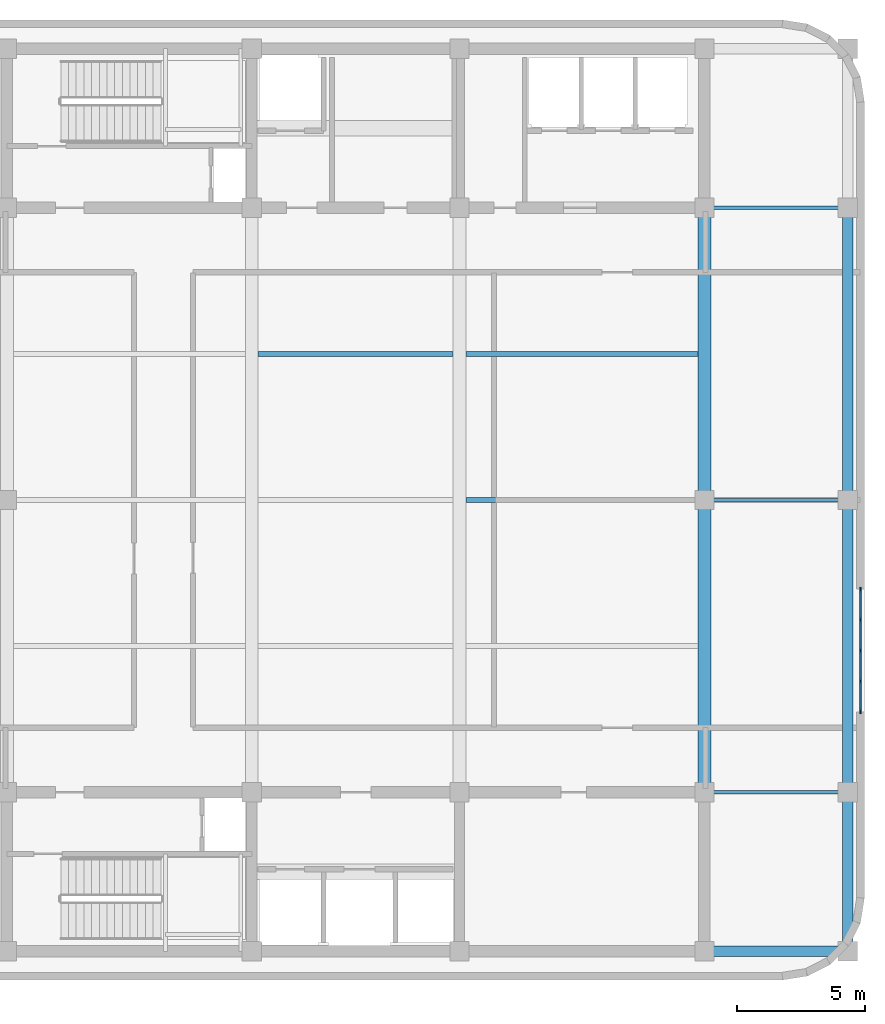
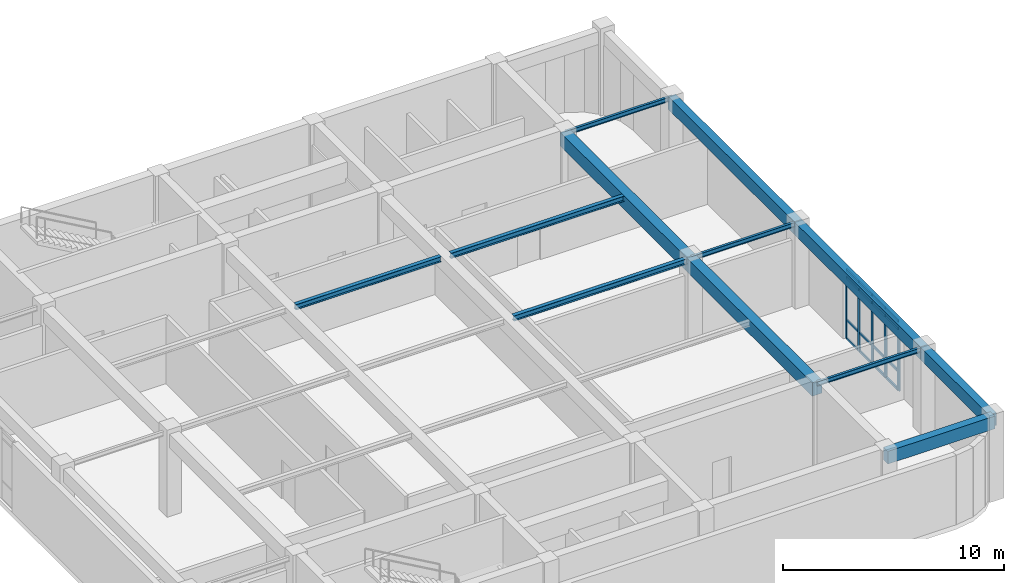
# One storey, part 3 of 7: 21 members, 12 beams, 1 element without a shape of its own.
"""IFC4 building model written with IfcOpenShell, lengths in metres."""

from ifc_helpers import new_model, si_unit, direction, frame, origin, origin_2d, place, context, subcontext, project, spatial, rectangle, i_section, extrude, material, material_profile, profile_set, type_object, element, aggregate, save


model = new_model("IFC4")

# Units and contexts
model_context = context("Model", 3, precision=1e-05, world=origin(), true_north=direction((0.0, 1.0)))
body_context = subcontext(model_context, "Body", "Model", "MODEL_VIEW")
ifc_project = project(units=[si_unit("LENGTHUNIT", "METRE"), si_unit("AREAUNIT", "SQUARE_METRE"), si_unit("VOLUMEUNIT", "CUBIC_METRE"), si_unit("PLANEANGLEUNIT", "RADIAN"), si_unit("MASSUNIT", "GRAM", prefix="KILO")], contexts=[model_context])

# Site, building, storey
site_placement = place(None, origin())
site = spatial("IfcSite", under=ifc_project, at=site_placement, CompositionType="ELEMENT")
building_placement = place(site_placement, origin())
building = spatial("IfcBuilding", under=site, at=building_placement, Name="Svetorya Sky Lyceum", CompositionType="ELEMENT")
storey_placement = place(building_placement, frame((0.0, 0.0, 255.39990234375)))
storey = spatial("IfcBuildingStorey", under=building, at=storey_placement, Name="L64", CompositionType="ELEMENT", Elevation=255.39990234375)

# Beams
ifc_material_1 = material(Name="Concrete C50/60", Category="concrete")
ifc_material_profile_1 = material_profile(ifc_material_1, rectangle(XDim=0.5, YDim=0.75, at=origin_2d()), Name="RC BEAM 500x750")
ifc_profile_set_1 = profile_set([ifc_material_profile_1], Name="Concrete C50/60")
beam_type_1 = type_object("IfcBeamType", Name="BM-RC-750", PredefinedType="BEAM", material=ifc_profile_set_1)
beam_1_placement = place(storey_placement, frame((52.800048828125, 16.800048828125, 4.175048828125), z_axis=(0.0, 1.0, 0.0), x_axis=(-1.0, 0.0, 0.0)))
element("IfcBeam", 1, at=beam_1_placement, inside=storey, type_object=beam_type_1, Name="L64 Central Bay Primary Girder CG-4A", PredefinedType="BEAM", context=body_context, shape_type="SweptSolid", body=[
    extrude(rectangle(XDim=0.5, YDim=0.75, at=origin_2d()), origin(), (0.0, 0.0, 1.0), 11.39990234375),
])
beam_2_placement = place(storey_placement, frame((52.800048828125, 28.199951171875, 4.175048828125), z_axis=(0.0, 1.0, 0.0), x_axis=(-1.0, 0.0, 0.0)))
element("IfcBeam", 2, at=beam_2_placement, inside=storey, type_object=beam_type_1, Name="L64 Central Bay Primary Girder CG-4B", PredefinedType="BEAM", context=body_context, shape_type="SweptSolid", body=[
    extrude(rectangle(XDim=0.5, YDim=0.75, at=origin_2d()), origin(), (0.0, 0.0, 1.0), 11.400146484375),
])
ifc_material_profile_2 = material_profile(ifc_material_1, rectangle(XDim=0.39990234375, YDim=0.699951171875, at=origin_2d()), Name="RC SPANDREL 400x700")
ifc_profile_set_2 = profile_set([ifc_material_profile_2], Name="Concrete C50/60")
beam_type_2 = type_object("IfcBeamType", Name="BM-SPN-700", PredefinedType="SPANDREL", material=ifc_profile_set_2)
beam_3_placement = place(storey_placement, frame((52.800048828125, 10.60009765625, 4.2001953125), z_axis=(1.0, 0.0, 0.0), x_axis=(0.0, 1.0, 0.0)))
element("IfcBeam", 3, at=beam_3_placement, inside=storey, type_object=beam_type_2, Name="L64 Tie Spandrel SE", PredefinedType="SPANDREL", context=body_context, shape_type="SweptSolid", body=[
    extrude(rectangle(XDim=0.39990234375, YDim=0.699951171875, at=origin_2d()), origin(), (0.0, 0.0, 1.0), 5.58984375),
])
beam_4_placement = place(storey_placement, frame((58.389892578125, 10.60009765625, 4.2001953125), z_axis=(0.0, 1.0, 0.0), x_axis=(-1.0, 0.0, 0.0)))
element("IfcBeam", 4, at=beam_4_placement, inside=storey, type_object=beam_type_2, Name="L64 East Spandrel 1", PredefinedType="SPANDREL", context=body_context, shape_type="SweptSolid", body=[
    extrude(rectangle(XDim=0.39990234375, YDim=0.699951171875, at=origin_2d()), origin(), (0.0, 0.0, 1.0), 6.199951171875),
])
beam_5_placement = place(storey_placement, frame((58.389892578125, 16.800048828125, 4.2001953125), z_axis=(0.0, 1.0, 0.0), x_axis=(-1.0, 0.0, 0.0)))
element("IfcBeam", 5, at=beam_5_placement, inside=storey, type_object=beam_type_2, Name="L64 East Spandrel 2", PredefinedType="SPANDREL", context=body_context, shape_type="SweptSolid", body=[
    extrude(rectangle(XDim=0.39990234375, YDim=0.699951171875, at=origin_2d()), origin(), (0.0, 0.0, 1.0), 11.39990234375),
])
beam_6_placement = place(storey_placement, frame((58.389892578125, 28.199951171875, 4.2001953125), z_axis=(0.0, 1.0, 0.0), x_axis=(-1.0, 0.0, 0.0)))
element("IfcBeam", 6, at=beam_6_placement, inside=storey, type_object=beam_type_2, Name="L64 East Spandrel 3", PredefinedType="SPANDREL", context=body_context, shape_type="SweptSolid", body=[
    extrude(rectangle(XDim=0.39990234375, YDim=0.699951171875, at=origin_2d()), origin(), (0.0, 0.0, 1.0), 11.400146484375),
])
ifc_material_2 = material(Name="Steel S355", Category="steel")
ifc_material_profile_3 = material_profile(ifc_material_2, i_section(OverallWidth=0.1240234375, OverallDepth=0.248046875, WebThickness=0.006103515625, FlangeThickness=0.009521484375, at=origin_2d()), Name="GOST 25B2")
ifc_profile_set_3 = profile_set([ifc_material_profile_3], Name="Steel S355")
beam_type_3 = type_object("IfcBeamType", Name="BM-STL-25B2", PredefinedType="JOIST", material=ifc_profile_set_3)
for number, where, z_axis, x_axis, name in (
    (7, (52.800048828125, 16.800048828125, 4.426025390625), (1.0, 0.0, 0.0), (0.0, 1.0, 0.0), "L64 East Wing Floor Joist E2"),
    (8, (52.800048828125, 28.199951171875, 4.426025390625), (1.0, 0.0, 0.0), (0.0, 1.0, 0.0), "L64 East Wing Floor Joist E3"),
    (9, (52.800048828125, 39.60009765625, 4.426025390625), (1.0, 0.0, 0.0), (0.0, 1.0, 0.0), "L64 East Wing Floor Joist E4"),
):
    element("IfcBeam", number, at=place(storey_placement, frame(where, z_axis=z_axis, x_axis=x_axis)), inside=storey, type_object=beam_type_3, Name=name, PredefinedType="JOIST", context=body_context, shape_type="SweptSolid", body=[
        extrude(i_section(OverallWidth=0.1240234375, OverallDepth=0.248046875, WebThickness=0.006103515625, FlangeThickness=0.009521484375, at=origin_2d()), origin(), (0.0, 0.0, 1.0), 5.58984375),
    ])
ifc_material_profile_4 = material_profile(ifc_material_2, i_section(OverallWidth=0.199951171875, OverallDepth=0.298095703125, WebThickness=0.008544921875, FlangeThickness=0.012939453125, at=origin_2d()), Name="GOST 30Sh2")
ifc_profile_set_4 = profile_set([ifc_material_profile_4], Name="Steel S355")
beam_type_4 = type_object("IfcBeamType", Name="BM-STL-30SH2", PredefinedType="BEAM", material=ifc_profile_set_4)
beam_7_placement = place(storey_placement, frame((43.5, 28.199951171875, 4.401123046875), z_axis=(1.0, 0.0, 0.0), x_axis=(0.0, 1.0, 0.0)))
element("IfcBeam", 10, at=beam_7_placement, inside=storey, type_object=beam_type_4, Name="L64 Central Floor Joist CJ-2.3", PredefinedType="BEAM", context=body_context, shape_type="SweptSolid", body=[
    extrude(i_section(OverallWidth=0.199951171875, OverallDepth=0.298095703125, WebThickness=0.008544921875, FlangeThickness=0.012939453125, at=origin_2d()), origin(), (0.0, 0.0, 1.0), 9.050048828125),
])
beam_8_placement = place(storey_placement, frame((35.39990234375, 33.89990234375, 4.401123046875), z_axis=(1.0, 0.0, 0.0), x_axis=(0.0, 1.0, 0.0)))
element("IfcBeam", 11, at=beam_8_placement, inside=storey, type_object=beam_type_4, Name="L64 Central Floor Joist CJ-3.2", PredefinedType="BEAM", context=body_context, shape_type="SweptSolid", body=[
    extrude(i_section(OverallWidth=0.199951171875, OverallDepth=0.298095703125, WebThickness=0.008544921875, FlangeThickness=0.012939453125, at=origin_2d()), origin(), (0.0, 0.0, 1.0), 7.60009765625),
])
beam_9_placement = place(storey_placement, frame((43.5, 33.89990234375, 4.401123046875), z_axis=(1.0, 0.0, 0.0), x_axis=(0.0, 1.0, 0.0)))
element("IfcBeam", 12, at=beam_9_placement, inside=storey, type_object=beam_type_4, Name="L64 Central Floor Joist CJ-3.3", PredefinedType="BEAM", context=body_context, shape_type="SweptSolid", body=[
    extrude(i_section(OverallWidth=0.199951171875, OverallDepth=0.298095703125, WebThickness=0.008544921875, FlangeThickness=0.012939453125, at=origin_2d()), origin(), (0.0, 0.0, 1.0), 9.050048828125),
])

# Curtain wall, members
ifc_material_3 = material(Name="Thermally broken anodized aluminium and triple low-E glass", Category="aluminium")
curtain_wall_type = type_object("IfcCurtainWallType", Name="CW5-LVR-PLT", PredefinedType="NOTDEFINED", material=ifc_material_3)
curtain_wall_placement = place(storey_placement, origin())
curtain_wall = element("IfcCurtainWall", 13, at=curtain_wall_placement, inside=storey, type_object=curtain_wall_type, Name="L64 Acoustic Plant Louvre Curtain Wall 12", PredefinedType="NOTDEFINED")
ifc_material_4 = material(Name="Thermally broken anodized aluminium EN AW-6060", Category="aluminium")
ifc_material_profile_5 = material_profile(ifc_material_4, rectangle(XDim=0.06494140625, YDim=0.179931640625, at=origin_2d()), Name="ALU MULLION 65x180")
ifc_profile_set_5 = profile_set([ifc_material_profile_5], Name="Thermally broken anodized aluminium EN AW-6060")
member_type_1 = type_object("IfcMemberType", Name="CWM-MUL-180", PredefinedType="MULLION", material=ifc_profile_set_5)
member_1_placement = place(storey_placement, frame((58.889892578125, 19.96240234375, 0.0), z_axis=(0.0, 0.0, 1.0), x_axis=(-1.0, 0.0, 0.0)))
member_1 = element("IfcMember", 14, at=member_1_placement, type_object=member_type_1, Name="CW-5 mullion 1", PredefinedType="MULLION", context=body_context, shape_type="SweptSolid", body=[
    extrude(rectangle(XDim=0.06494140625, YDim=0.179931640625, at=origin_2d()), origin(), (0.0, 0.0, 1.0), 3.830078125),
])
member_2_placement = place(storey_placement, frame((58.889892578125, 21.1298828125, 0.0), z_axis=(0.0, 0.0, 1.0), x_axis=(-1.0, 0.0, 0.0)))
member_2 = element("IfcMember", 15, at=member_2_placement, type_object=member_type_1, Name="CW-5 mullion 2", PredefinedType="MULLION", context=body_context, shape_type="SweptSolid", body=[
    extrude(rectangle(XDim=0.06494140625, YDim=0.179931640625, at=origin_2d()), origin(), (0.0, 0.0, 1.0), 3.830078125),
])
member_3_placement = place(storey_placement, frame((58.889892578125, 22.330078125, 0.0), z_axis=(0.0, 0.0, 1.0), x_axis=(-1.0, 0.0, 0.0)))
member_3 = element("IfcMember", 16, at=member_3_placement, type_object=member_type_1, Name="CW-5 mullion 3", PredefinedType="MULLION", context=body_context, shape_type="SweptSolid", body=[
    extrude(rectangle(XDim=0.06494140625, YDim=0.179931640625, at=origin_2d()), origin(), (0.0, 0.0, 1.0), 3.830078125),
])
member_4_placement = place(storey_placement, frame((58.889892578125, 23.530029296875, 0.0), z_axis=(0.0, 0.0, 1.0), x_axis=(-1.0, 0.0, 0.0)))
member_4 = element("IfcMember", 17, at=member_4_placement, type_object=member_type_1, Name="CW-5 mullion 4", PredefinedType="MULLION", context=body_context, shape_type="SweptSolid", body=[
    extrude(rectangle(XDim=0.06494140625, YDim=0.179931640625, at=origin_2d()), origin(), (0.0, 0.0, 1.0), 3.830078125),
])
member_5_placement = place(storey_placement, frame((58.889892578125, 24.697509765625, 0.0), z_axis=(0.0, 0.0, 1.0), x_axis=(-1.0, 0.0, 0.0)))
member_5 = element("IfcMember", 18, at=member_5_placement, type_object=member_type_1, Name="CW-5 mullion 5", PredefinedType="MULLION", context=body_context, shape_type="SweptSolid", body=[
    extrude(rectangle(XDim=0.06494140625, YDim=0.179931640625, at=origin_2d()), origin(), (0.0, 0.0, 1.0), 3.830078125),
])
ifc_material_profile_6 = material_profile(ifc_material_4, rectangle(XDim=0.06494140625, YDim=0.139892578125, at=origin_2d()), Name="ALU TRANSOM 65x140")
ifc_profile_set_6 = profile_set([ifc_material_profile_6], Name="Thermally broken anodized aluminium EN AW-6060")
member_type_2 = type_object("IfcMemberType", Name="CWM-TRN-140", PredefinedType="USERDEFINED", material=ifc_profile_set_6)
member_6_placement = place(storey_placement, frame((58.889892578125, 19.993408203125, 0.03271484375), z_axis=(0.0, 1.0, 0.0), x_axis=(-1.0, 0.0, 0.0)))
member_6 = element("IfcMember", 19, at=member_6_placement, type_object=member_type_2, Name="CW-5 transom 1.1", ObjectType="TRANSOM", PredefinedType="USERDEFINED", context=body_context, shape_type="SweptSolid", body=[
    extrude(rectangle(XDim=0.06494140625, YDim=0.139892578125, at=origin_2d()), origin(), (0.0, 0.0, 1.0), 1.105712890625),
])
member_7_placement = place(storey_placement, frame((58.889892578125, 19.993408203125, 1.050048828125), z_axis=(0.0, 1.0, 0.0), x_axis=(-1.0, 0.0, 0.0)))
member_7 = element("IfcMember", 20, at=member_7_placement, type_object=member_type_2, Name="CW-5 transom 1.2", ObjectType="TRANSOM", PredefinedType="USERDEFINED", context=body_context, shape_type="SweptSolid", body=[
    extrude(rectangle(XDim=0.06494140625, YDim=0.139892578125, at=origin_2d()), origin(), (0.0, 0.0, 1.0), 1.105712890625),
])
member_8_placement = place(storey_placement, frame((58.889892578125, 19.993408203125, 3.380126953125), z_axis=(0.0, 1.0, 0.0), x_axis=(-1.0, 0.0, 0.0)))
member_8 = element("IfcMember", 21, at=member_8_placement, type_object=member_type_2, Name="CW-5 transom 1.3", ObjectType="TRANSOM", PredefinedType="USERDEFINED", context=body_context, shape_type="SweptSolid", body=[
    extrude(rectangle(XDim=0.06494140625, YDim=0.139892578125, at=origin_2d()), origin(), (0.0, 0.0, 1.0), 1.105712890625),
])
member_9_placement = place(storey_placement, frame((58.889892578125, 19.993408203125, 3.797607421875), z_axis=(0.0, 1.0, 0.0), x_axis=(-1.0, 0.0, 0.0)))
member_9 = element("IfcMember", 22, at=member_9_placement, type_object=member_type_2, Name="CW-5 transom 1.4", ObjectType="TRANSOM", PredefinedType="USERDEFINED", context=body_context, shape_type="SweptSolid", body=[
    extrude(rectangle(XDim=0.06494140625, YDim=0.139892578125, at=origin_2d()), origin(), (0.0, 0.0, 1.0), 1.105712890625),
])
member_10_placement = place(storey_placement, frame((58.889892578125, 21.160888671875, 0.03271484375), z_axis=(0.0, 1.0, 0.0), x_axis=(-1.0, 0.0, 0.0)))
member_10 = element("IfcMember", 23, at=member_10_placement, type_object=member_type_2, Name="CW-5 transom 2.1", ObjectType="TRANSOM", PredefinedType="USERDEFINED", context=body_context, shape_type="SweptSolid", body=[
    extrude(rectangle(XDim=0.06494140625, YDim=0.139892578125, at=origin_2d()), origin(), (0.0, 0.0, 1.0), 1.13818359375),
])
member_11_placement = place(storey_placement, frame((58.889892578125, 21.160888671875, 1.050048828125), z_axis=(0.0, 1.0, 0.0), x_axis=(-1.0, 0.0, 0.0)))
member_11 = element("IfcMember", 24, at=member_11_placement, type_object=member_type_2, Name="CW-5 transom 2.2", ObjectType="TRANSOM", PredefinedType="USERDEFINED", context=body_context, shape_type="SweptSolid", body=[
    extrude(rectangle(XDim=0.06494140625, YDim=0.139892578125, at=origin_2d()), origin(), (0.0, 0.0, 1.0), 1.13818359375),
])
member_12_placement = place(storey_placement, frame((58.889892578125, 21.160888671875, 3.380126953125), z_axis=(0.0, 1.0, 0.0), x_axis=(-1.0, 0.0, 0.0)))
member_12 = element("IfcMember", 25, at=member_12_placement, type_object=member_type_2, Name="CW-5 transom 2.3", ObjectType="TRANSOM", PredefinedType="USERDEFINED", context=body_context, shape_type="SweptSolid", body=[
    extrude(rectangle(XDim=0.06494140625, YDim=0.139892578125, at=origin_2d()), origin(), (0.0, 0.0, 1.0), 1.13818359375),
])
member_13_placement = place(storey_placement, frame((58.889892578125, 21.160888671875, 3.797607421875), z_axis=(0.0, 1.0, 0.0), x_axis=(-1.0, 0.0, 0.0)))
member_13 = element("IfcMember", 26, at=member_13_placement, type_object=member_type_2, Name="CW-5 transom 2.4", ObjectType="TRANSOM", PredefinedType="USERDEFINED", context=body_context, shape_type="SweptSolid", body=[
    extrude(rectangle(XDim=0.06494140625, YDim=0.139892578125, at=origin_2d()), origin(), (0.0, 0.0, 1.0), 1.13818359375),
])
member_14_placement = place(storey_placement, frame((58.889892578125, 22.361083984375, 0.03271484375), z_axis=(0.0, 1.0, 0.0), x_axis=(-1.0, 0.0, 0.0)))
member_14 = element("IfcMember", 27, at=member_14_placement, type_object=member_type_2, Name="CW-5 transom 3.1", ObjectType="TRANSOM", PredefinedType="USERDEFINED", context=body_context, shape_type="SweptSolid", body=[
    extrude(rectangle(XDim=0.06494140625, YDim=0.139892578125, at=origin_2d()), origin(), (0.0, 0.0, 1.0), 1.137939453125),
])
member_15_placement = place(storey_placement, frame((58.889892578125, 22.361083984375, 1.050048828125), z_axis=(0.0, 1.0, 0.0), x_axis=(-1.0, 0.0, 0.0)))
member_15 = element("IfcMember", 28, at=member_15_placement, type_object=member_type_2, Name="CW-5 transom 3.2", ObjectType="TRANSOM", PredefinedType="USERDEFINED", context=body_context, shape_type="SweptSolid", body=[
    extrude(rectangle(XDim=0.06494140625, YDim=0.139892578125, at=origin_2d()), origin(), (0.0, 0.0, 1.0), 1.137939453125),
])
member_16_placement = place(storey_placement, frame((58.889892578125, 22.361083984375, 3.380126953125), z_axis=(0.0, 1.0, 0.0), x_axis=(-1.0, 0.0, 0.0)))
member_16 = element("IfcMember", 29, at=member_16_placement, type_object=member_type_2, Name="CW-5 transom 3.3", ObjectType="TRANSOM", PredefinedType="USERDEFINED", context=body_context, shape_type="SweptSolid", body=[
    extrude(rectangle(XDim=0.06494140625, YDim=0.139892578125, at=origin_2d()), origin(), (0.0, 0.0, 1.0), 1.137939453125),
])
member_17_placement = place(storey_placement, frame((58.889892578125, 22.361083984375, 3.797607421875), z_axis=(0.0, 1.0, 0.0), x_axis=(-1.0, 0.0, 0.0)))
member_17 = element("IfcMember", 30, at=member_17_placement, type_object=member_type_2, Name="CW-5 transom 3.4", ObjectType="TRANSOM", PredefinedType="USERDEFINED", context=body_context, shape_type="SweptSolid", body=[
    extrude(rectangle(XDim=0.06494140625, YDim=0.139892578125, at=origin_2d()), origin(), (0.0, 0.0, 1.0), 1.137939453125),
])
member_18_placement = place(storey_placement, frame((58.889892578125, 23.56103515625, 0.03271484375), z_axis=(0.0, 1.0, 0.0), x_axis=(-1.0, 0.0, 0.0)))
member_18 = element("IfcMember", 31, at=member_18_placement, type_object=member_type_2, Name="CW-5 transom 4.1", ObjectType="TRANSOM", PredefinedType="USERDEFINED", context=body_context, shape_type="SweptSolid", body=[
    extrude(rectangle(XDim=0.06494140625, YDim=0.139892578125, at=origin_2d()), origin(), (0.0, 0.0, 1.0), 1.10546875),
])
member_19_placement = place(storey_placement, frame((58.889892578125, 23.56103515625, 1.050048828125), z_axis=(0.0, 1.0, 0.0), x_axis=(-1.0, 0.0, 0.0)))
member_19 = element("IfcMember", 32, at=member_19_placement, type_object=member_type_2, Name="CW-5 transom 4.2", ObjectType="TRANSOM", PredefinedType="USERDEFINED", context=body_context, shape_type="SweptSolid", body=[
    extrude(rectangle(XDim=0.06494140625, YDim=0.139892578125, at=origin_2d()), origin(), (0.0, 0.0, 1.0), 1.10546875),
])
member_20_placement = place(storey_placement, frame((58.889892578125, 23.56103515625, 3.380126953125), z_axis=(0.0, 1.0, 0.0), x_axis=(-1.0, 0.0, 0.0)))
member_20 = element("IfcMember", 33, at=member_20_placement, type_object=member_type_2, Name="CW-5 transom 4.3", ObjectType="TRANSOM", PredefinedType="USERDEFINED", context=body_context, shape_type="SweptSolid", body=[
    extrude(rectangle(XDim=0.06494140625, YDim=0.139892578125, at=origin_2d()), origin(), (0.0, 0.0, 1.0), 1.10546875),
])
member_21_placement = place(storey_placement, frame((58.889892578125, 23.56103515625, 3.797607421875), z_axis=(0.0, 1.0, 0.0), x_axis=(-1.0, 0.0, 0.0)))
member_21 = element("IfcMember", 34, at=member_21_placement, type_object=member_type_2, Name="CW-5 transom 4.4", ObjectType="TRANSOM", PredefinedType="USERDEFINED", context=body_context, shape_type="SweptSolid", body=[
    extrude(rectangle(XDim=0.06494140625, YDim=0.139892578125, at=origin_2d()), origin(), (0.0, 0.0, 1.0), 1.10546875),
])
aggregate(curtain_wall, [member_1, member_2, member_3, member_4, member_5, member_6, member_7, member_8, member_9, member_10, member_11, member_12, member_13, member_14, member_15, member_16, member_17, member_18, member_19, member_20, member_21])

save(model, "model.ifc")
